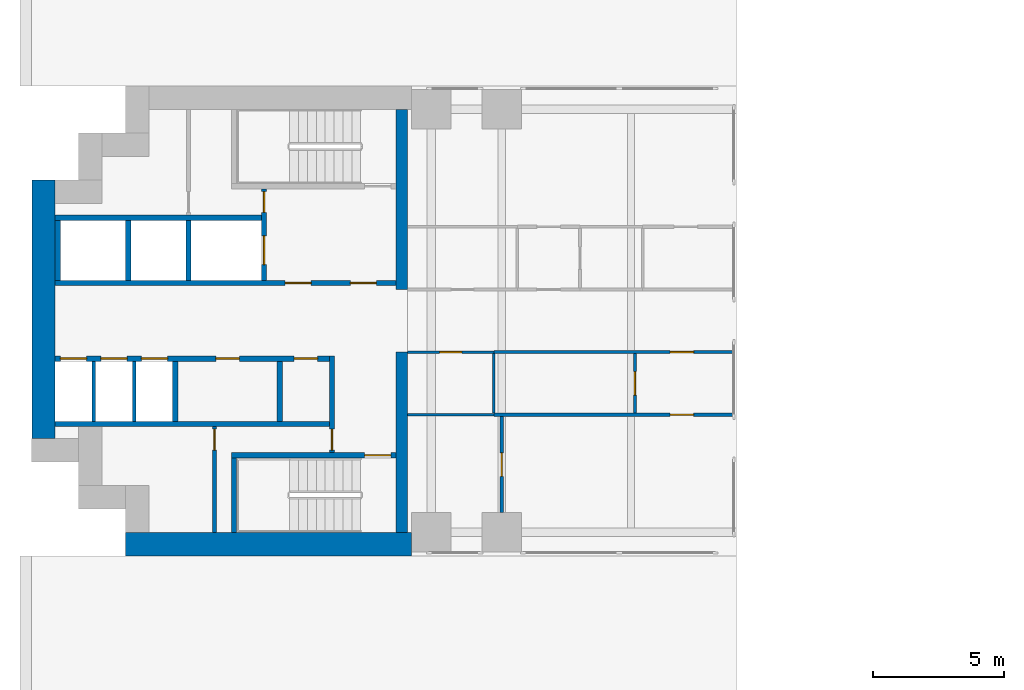
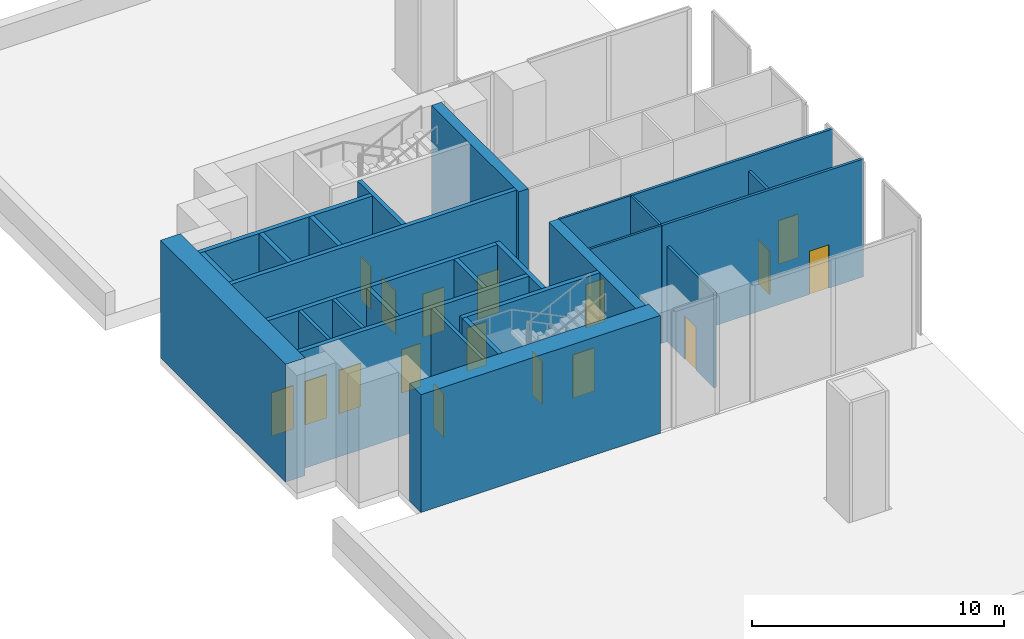
# One storey, part 6 of 13: 27 walls, 17 doors, 17 openings.
"""IFC4 building model written with IfcOpenShell, lengths in metres."""

from ifc_helpers import new_model, si_unit, direction, frame, frame_2d, origin, place, context, subcontext, project, spatial, rectangle, extrude, material, layer, layer_set, type_object, element, fill, save


model = new_model("IFC4")

# Units and contexts
model_context = context("Model", 3, precision=1e-05, world=origin(), true_north=direction((0.0, 1.0)))
body_context = subcontext(model_context, "Body", "Model", "MODEL_VIEW")
ifc_project = project(units=[si_unit("LENGTHUNIT", "METRE"), si_unit("AREAUNIT", "SQUARE_METRE"), si_unit("VOLUMEUNIT", "CUBIC_METRE"), si_unit("PLANEANGLEUNIT", "RADIAN"), si_unit("MASSUNIT", "GRAM", prefix="KILO")], contexts=[model_context])

# Site, building, storey
site_placement = place(None, origin())
site = spatial("IfcSite", under=ifc_project, at=site_placement, CompositionType="ELEMENT")
building_placement = place(site_placement, origin())
building = spatial("IfcBuilding", under=site, at=building_placement, Name="Perihelion Cross Residences", CompositionType="ELEMENT")
storey_placement = place(building_placement, frame((0.0, 0.0, 15.0)))
storey = spatial("IfcBuildingStorey", under=building, at=storey_placement, Name="L01", CompositionType="ELEMENT", Elevation=15.0)

# Walls
ifc_material_1 = material(Name="Concrete C60/75", Category="concrete")
ifc_layer_1 = layer(ifc_material_1, 0.449951171875)
ifc_layer_set_1 = layer_set([ifc_layer_1], Name="Core wall, inner 450")
wall_type_1 = type_object("IfcWallType", Name="Core wall, inner 450", PredefinedType="SHEAR", material=ifc_layer_set_1)
for number, where, z_axis, x_axis, name in (
    (1, (-21.824951171875, -8.10009765625, 0.0), (0.0, 0.0, 1.0), (0.0, 1.0, 0.0), "West core core wall, inner"),
    (2, (-21.824951171875, 1.199951171875, 0.0), (0.0, 0.0, 1.0), (0.0, 1.0, 0.0), "West core core wall, inner"),
):
    element("IfcWall", number, at=place(storey_placement, frame(where, z_axis=z_axis, x_axis=x_axis)), inside=storey, type_object=wall_type_1, Name=name, PredefinedType="SHEAR", context=body_context, shape_type="SweptSolid", body=[
        extrude(rectangle(XDim=6.900146484375, YDim=0.449951171875, at=frame_2d((3.4501953125, 0.0))), origin(), (0.0, 0.0, 1.0), 5.699951171875),
    ])
ifc_material_2 = material(Name="Concrete C60/75", Category="concrete")
ifc_layer_2 = layer(ifc_material_2, 0.89990234375)
ifc_layer_set_2 = layer_set([ifc_layer_2], Name="Core wall, outer 900")
wall_type_2 = type_object("IfcWallType", Name="Core wall, outer 900", PredefinedType="SHEAR", material=ifc_layer_set_2)
wall_1_placement = place(storey_placement, frame((-32.39990234375, -8.550048828125, 0.0), z_axis=(0.0, 0.0, 1.0), x_axis=(1.0, 0.0, 0.0)))
element("IfcWall", 3, at=wall_1_placement, inside=storey, type_object=wall_type_2, Name="West core core wall, outer", PredefinedType="SHEAR", context=body_context, shape_type="SweptSolid", body=[
    extrude(rectangle(XDim=10.949951171875, YDim=0.89990234375, at=frame_2d((5.47509765625, 0.0))), origin(), (0.0, 0.0, 1.0), 5.699951171875),
])
wall_2_placement = place(storey_placement, frame((-35.550048828125, -4.5, 0.0), z_axis=(0.0, 0.0, 1.0), x_axis=(0.0, 1.0, 0.0)))
element("IfcWall", 4, at=wall_2_placement, inside=storey, type_object=wall_type_2, Name="West core core wall, outer", PredefinedType="SHEAR", context=body_context, shape_type="SweptSolid", body=[
    extrude(rectangle(XDim=9.89990234375, YDim=0.89990234375, at=frame_2d((4.949951171875, 0.0))), origin(), (0.0, 0.0, 1.0), 5.699951171875),
])

# Wall, opening, door
ifc_material_3 = material(Name="Concrete C50/60", Category="concrete")
ifc_layer_3 = layer(ifc_material_3, 0.199951171875)
ifc_layer_set_3 = layer_set([ifc_layer_3], Name="Lobby wall 200")
wall_type_3 = type_object("IfcWallType", Name="Lobby wall 200", PredefinedType="SOLIDWALL", material=ifc_layer_set_3)
wall_3_placement = place(storey_placement, frame((-24.5, -5.050048828125, 0.0), z_axis=(0.0, 0.0, 1.0), x_axis=(0.0, 1.0, 0.0)))
wall_3 = element("IfcWall", 5, at=wall_3_placement, inside=storey, type_object=wall_type_3, Name="West core lobby wall", PredefinedType="SOLIDWALL", context=body_context, shape_type="SweptSolid", body=[
    extrude(rectangle(XDim=3.699951171875, YDim=0.199951171875, at=frame_2d((1.85009765625, 0.0))), origin(), (0.0, 0.0, 1.0), 5.699951171875),
])
opening_1_placement = place(wall_3_placement, frame((0.10009765625, 0.0, 0.0)))
opening_1 = element("IfcOpeningElement", 6, at=opening_1_placement, cuts=wall_3, Name="Opening L01.C22", PredefinedType="OPENING", context=body_context, shape_type="SweptSolid", body=[
    extrude(rectangle(XDim=0.800048828125, YDim=2.10009765625, at=frame_2d((0.39990234375, 1.050048828125))), frame((0.0, 0.10986328125, 0.0), z_axis=(0.0, -1.0, 0.0), x_axis=(1.0, 0.0, 0.0)), (0.0, 0.0, 1.0), 0.219970703125),
])
ifc_material_4 = material(Name="Steel, powder coated", Category="steel")
door_type_1 = type_object("IfcDoorType", Name="Riser door 800", OperationType="SINGLE_SWING_LEFT", PredefinedType="DOOR", material=ifc_material_4)
door_1_placement = place(opening_1_placement, origin())
door_1 = element("IfcDoor", 7, at=door_1_placement, inside=storey, type_object=door_type_1, Name="West core riser door", OperationType="SINGLE_SWING_LEFT", OverallHeight=2.10009765625, OverallWidth=0.800048828125, PredefinedType="DOOR", context=body_context, shape_type="SweptSolid", body=[
    extrude(rectangle(XDim=0.800048828125, YDim=2.10009765625, at=frame_2d((0.39990234375, 1.050048828125))), frame((0.0, 0.02490234375, 0.0), z_axis=(0.0, -1.0, 0.0), x_axis=(1.0, 0.0, 0.0)), (0.0, 0.0, 1.0), 0.050048828125),
])
fill(opening_1, door_1)

ifc_material_5 = material(Name="Plasterboard partition")
ifc_layer_4 = layer(ifc_material_5, 0.1201171875)
ifc_layer_set_4 = layer_set([ifc_layer_4], Name="Partition wall 120")
wall_type_4 = type_object("IfcWallType", Name="Partition wall 120", PredefinedType="PARTITIONING", material=ifc_layer_set_4)
wall_4_placement = place(storey_placement, frame((-9.080078125, -1.199951171875, 0.0), z_axis=(0.0, 0.0, 1.0), x_axis=(-1.0, 0.0, 0.0)))
wall_4 = element("IfcWall", 8, at=wall_4_placement, inside=storey, type_object=wall_type_4, Name="Partition L01 W009", PredefinedType="PARTITIONING", context=body_context, shape_type="SweptSolid", body=[
    extrude(rectangle(XDim=9.219970703125, YDim=0.1201171875, at=frame_2d((4.60986328125, 0.0))), origin(), (0.0, 0.0, 1.0), 5.699951171875),
])
opening_2_placement = place(wall_4_placement, frame((1.570068359375, 0.0, 0.0)))
opening_2 = element("IfcOpeningElement", 9, at=opening_2_placement, cuts=wall_4, Name="Opening L01.A12", PredefinedType="OPENING", context=body_context, shape_type="SweptSolid", body=[
    extrude(rectangle(XDim=0.89990234375, YDim=2.10009765625, at=frame_2d((0.449951171875, 1.050048828125))), frame((0.0, 0.070068359375, 0.0), z_axis=(0.0, -1.0, 0.0), x_axis=(1.0, 0.0, 0.0)), (0.0, 0.0, 1.0), 0.14013671875),
])
ifc_material_6 = material(Name="Timber door leaf", Category="wood")
door_type_2 = type_object("IfcDoorType", Name="Interior room door 900 x 2100", OperationType="SINGLE_SWING_LEFT", PredefinedType="DOOR", material=ifc_material_6)
door_2_placement = place(opening_2_placement, origin())
door_2 = element("IfcDoor", 10, at=door_2_placement, inside=storey, type_object=door_type_2, Name="Door L01.A12", OperationType="SINGLE_SWING_RIGHT", OverallHeight=2.10009765625, OverallWidth=0.89990234375, PredefinedType="DOOR", context=body_context, shape_type="SweptSolid", body=[
    extrude(rectangle(XDim=0.89990234375, YDim=2.10009765625, at=frame_2d((0.449951171875, 1.050048828125))), frame((0.0, 0.02490234375, 0.0), z_axis=(0.0, -1.0, 0.0), x_axis=(1.0, 0.0, 0.0)), (0.0, 0.0, 1.0), 0.050048828125),
])
fill(opening_2, door_2)

wall_5_placement = place(storey_placement, frame((-18.0, -7.35009765625, 0.0), z_axis=(0.0, 0.0, 1.0), x_axis=(0.0, 1.0, 0.0)))
wall_5 = element("IfcWall", 11, at=wall_5_placement, inside=storey, type_object=wall_type_4, Name="Partition L01 W027", PredefinedType="PARTITIONING", context=body_context, shape_type="SweptSolid", body=[
    extrude(rectangle(XDim=3.690185546875, YDim=0.1201171875, at=frame_2d((1.84521484375, 0.0))), origin(), (0.0, 0.0, 1.0), 4.610107421875),
])
opening_3_placement = place(wall_5_placement, frame((1.39501953125, 0.0, 0.0)))
opening_3 = element("IfcOpeningElement", 12, at=opening_3_placement, cuts=wall_5, Name="Opening L01.A19", PredefinedType="OPENING", context=body_context, shape_type="SweptSolid", body=[
    extrude(rectangle(XDim=0.89990234375, YDim=2.10009765625, at=frame_2d((0.449951171875, 1.050048828125))), frame((0.0, 0.070068359375, 0.0), z_axis=(0.0, -1.0, 0.0), x_axis=(1.0, 0.0, 0.0)), (0.0, 0.0, 1.0), 0.14013671875),
])
door_3_placement = place(opening_3_placement, origin())
door_3 = element("IfcDoor", 13, at=door_3_placement, inside=storey, type_object=door_type_2, Name="Door L01.A19", OperationType="SINGLE_SWING_LEFT", OverallHeight=2.10009765625, OverallWidth=0.89990234375, PredefinedType="DOOR", context=body_context, shape_type="SweptSolid", body=[
    extrude(rectangle(XDim=0.89990234375, YDim=2.10009765625, at=frame_2d((0.449951171875, 1.050048828125))), frame((0.0, 0.02490234375, 0.0), z_axis=(0.0, -1.0, 0.0), x_axis=(1.0, 0.0, 0.0)), (0.0, 0.0, 1.0), 0.050048828125),
])
fill(opening_3, door_3)

wall_6_placement = place(storey_placement, frame((-18.300048828125, -3.60009765625, 0.0), z_axis=(0.0, 0.0, 1.0), x_axis=(1.0, 0.0, 0.0)))
wall_6 = element("IfcWall", 14, at=wall_6_placement, inside=storey, type_object=wall_type_4, Name="Partition L01 W028", PredefinedType="PARTITIONING", context=body_context, shape_type="SweptSolid", body=[
    extrude(rectangle(XDim=9.219970703125, YDim=0.1201171875, at=frame_2d((4.60986328125, 0.0))), origin(), (0.0, 0.0, 1.0), 5.699951171875),
])
opening_4_placement = place(wall_6_placement, frame((6.75, 0.0, 0.0)))
opening_4 = element("IfcOpeningElement", 15, at=opening_4_placement, cuts=wall_6, Name="Opening L01.A18", PredefinedType="OPENING", context=body_context, shape_type="SweptSolid", body=[
    extrude(rectangle(XDim=0.89990234375, YDim=2.10009765625, at=frame_2d((0.449951171875, 1.050048828125))), frame((0.0, 0.070068359375, 0.0), z_axis=(0.0, -1.0, 0.0), x_axis=(1.0, 0.0, 0.0)), (0.0, 0.0, 1.0), 0.14013671875),
])
door_4_placement = place(opening_4_placement, origin())
door_4 = element("IfcDoor", 16, at=door_4_placement, inside=storey, type_object=door_type_2, Name="Door L01.A18", OperationType="SINGLE_SWING_LEFT", OverallHeight=2.10009765625, OverallWidth=0.89990234375, PredefinedType="DOOR", context=body_context, shape_type="SweptSolid", body=[
    extrude(rectangle(XDim=0.89990234375, YDim=2.10009765625, at=frame_2d((0.449951171875, 1.050048828125))), frame((0.0, 0.02490234375, 0.0), z_axis=(0.0, -1.0, 0.0), x_axis=(1.0, 0.0, 0.0)), (0.0, 0.0, 1.0), 0.050048828125),
])
fill(opening_4, door_4)

wall_7_placement = place(storey_placement, frame((-12.89990234375, -3.5400390625, 0.0), z_axis=(0.0, 0.0, 1.0), x_axis=(0.0, 1.0, 0.0)))
wall_7 = element("IfcWall", 17, at=wall_7_placement, inside=storey, type_object=wall_type_4, Name="Partition L01 W030", PredefinedType="PARTITIONING", context=body_context, shape_type="SweptSolid", body=[
    extrude(rectangle(XDim=2.280029296875, YDim=0.1201171875, at=frame_2d((1.14013671875, 0.0))), origin(), (0.0, 0.0, 1.0), 5.007080078125),
])
opening_5_placement = place(wall_7_placement, frame((0.68994140625, 0.0, 0.0)))
opening_5 = element("IfcOpeningElement", 18, at=opening_5_placement, cuts=wall_7, Name="Opening L01.A16", PredefinedType="OPENING", context=body_context, shape_type="SweptSolid", body=[
    extrude(rectangle(XDim=0.89990234375, YDim=2.10009765625, at=frame_2d((0.449951171875, 1.050048828125))), frame((0.0, 0.070068359375, 0.0), z_axis=(0.0, -1.0, 0.0), x_axis=(1.0, 0.0, 0.0)), (0.0, 0.0, 1.0), 0.14013671875),
])
door_5_placement = place(opening_5_placement, origin())
door_5 = element("IfcDoor", 19, at=door_5_placement, inside=storey, type_object=door_type_2, Name="Door L01.A16", OperationType="SINGLE_SWING_RIGHT", OverallHeight=2.10009765625, OverallWidth=0.89990234375, PredefinedType="DOOR", context=body_context, shape_type="SweptSolid", body=[
    extrude(rectangle(XDim=0.89990234375, YDim=2.10009765625, at=frame_2d((0.449951171875, 1.050048828125))), frame((0.0, 0.02490234375, 0.0), z_axis=(0.0, -1.0, 0.0), x_axis=(1.0, 0.0, 0.0)), (0.0, 0.0, 1.0), 0.050048828125),
])
fill(opening_5, door_5)

ifc_material_7 = material(Name="Fire-rated board on steel stud", Category="steel")
ifc_layer_5 = layer(ifc_material_7, 0.14990234375)
ifc_layer_set_5 = layer_set([ifc_layer_5], Name="Riser wall 150")
wall_type_5 = type_object("IfcWallType", Name="Riser wall 150", PredefinedType="PARTITIONING", material=ifc_layer_set_5)
wall_8_placement = place(storey_placement, frame((-29.0, -8.10009765625, 0.0), z_axis=(0.0, 0.0, 1.0), x_axis=(0.0, 1.0, 0.0)))
wall_8 = element("IfcWall", 20, at=wall_8_placement, inside=storey, type_object=wall_type_5, Name="West core riser wall", PredefinedType="PARTITIONING", context=body_context, shape_type="SweptSolid", body=[
    extrude(rectangle(XDim=4.050048828125, YDim=0.14990234375, at=frame_2d((2.02490234375, 0.0))), origin(), (0.0, 0.0, 1.0), 5.699951171875),
])
opening_6_placement = place(wall_8_placement, frame((3.14990234375, 0.0, 0.0)))
opening_6 = element("IfcOpeningElement", 21, at=opening_6_placement, cuts=wall_8, Name="Opening L01.C27", PredefinedType="OPENING", context=body_context, shape_type="SweptSolid", body=[
    extrude(rectangle(XDim=0.800048828125, YDim=2.10009765625, at=frame_2d((0.39990234375, 1.050048828125))), frame((0.0, 0.0849609375, 0.0), z_axis=(0.0, -1.0, 0.0), x_axis=(1.0, 0.0, 0.0)), (0.0, 0.0, 1.0), 0.169921875),
])
door_6_placement = place(opening_6_placement, origin())
door_6 = element("IfcDoor", 22, at=door_6_placement, inside=storey, type_object=door_type_1, Name="West core riser door", OperationType="SINGLE_SWING_LEFT", OverallHeight=2.10009765625, OverallWidth=0.800048828125, PredefinedType="DOOR", context=body_context, shape_type="SweptSolid", body=[
    extrude(rectangle(XDim=0.800048828125, YDim=2.10009765625, at=frame_2d((0.39990234375, 1.050048828125))), frame((0.0, 0.02490234375, 0.0), z_axis=(0.0, -1.0, 0.0), x_axis=(1.0, 0.0, 0.0)), (0.0, 0.0, 1.0), 0.050048828125),
])
fill(opening_6, door_6)

# Walls
ifc_material_8 = material(Name="Fire-rated board on steel stud", Category="steel")
ifc_layer_6 = layer(ifc_material_8, 0.199951171875)
ifc_layer_set_6 = layer_set([ifc_layer_6], Name="Riser wall 200")
wall_type_6 = type_object("IfcWallType", Name="Riser wall 200", PredefinedType="PARTITIONING", material=ifc_layer_set_6)
wall_9_placement = place(storey_placement, frame((-26.5, -3.85009765625, 0.0), z_axis=(0.0, 0.0, 1.0), x_axis=(0.0, 1.0, 0.0)))
element("IfcWall", 23, at=wall_9_placement, inside=storey, type_object=wall_type_6, Name="West core riser wall", PredefinedType="PARTITIONING", context=body_context, shape_type="SweptSolid", body=[
    extrude(rectangle(XDim=2.300048828125, YDim=0.199951171875, at=frame_2d((1.14990234375, 0.0))), origin(), (0.0, 0.0, 1.0), 5.699951171875),
])
ifc_material_9 = material(Name="Concrete C50/60", Category="concrete")
ifc_layer_7 = layer(ifc_material_9, 0.14990234375)
ifc_layer_set_7 = layer_set([ifc_layer_7], Name="Shaft wall 150")
wall_type_7 = type_object("IfcWallType", Name="Shaft wall 150", PredefinedType="SOLIDWALL", material=ifc_layer_set_7)
for number, where, z_axis, x_axis, name in (
    (24, (-32.074951171875, -3.85009765625, 0.0), (0.0, 0.0, 1.0), (0.0, 1.0, 0.0), "West core shaft wall"),
    (25, (-33.625, -3.85009765625, 0.0), (0.0, 0.0, 1.0), (0.0, 1.0, 0.0), "West core shaft wall"),
):
    element("IfcWall", number, at=place(storey_placement, frame(where, z_axis=z_axis, x_axis=x_axis)), inside=storey, type_object=wall_type_7, Name=name, PredefinedType="SOLIDWALL", context=body_context, shape_type="SweptSolid", body=[
        extrude(rectangle(XDim=2.300048828125, YDim=0.14990234375, at=frame_2d((1.14990234375, 0.0))), origin(), (0.0, 0.0, 1.0), 5.699951171875),
    ])

# Wall, openings, doors
ifc_material_10 = material(Name="Concrete C50/60", Category="concrete")
ifc_layer_8 = layer(ifc_material_10, 0.199951171875)
ifc_layer_set_8 = layer_set([ifc_layer_8], Name="Shaft wall 200")
wall_type_8 = type_object("IfcWallType", Name="Shaft wall 200", PredefinedType="SOLIDWALL", material=ifc_layer_set_8)
wall_10_placement = place(storey_placement, frame((-35.10009765625, 1.449951171875, 0.0), z_axis=(0.0, 0.0, 1.0), x_axis=(1.0, 0.0, 0.0)))
wall_10 = element("IfcWall", 26, at=wall_10_placement, inside=storey, type_object=wall_type_8, Name="West core shaft wall", PredefinedType="SOLIDWALL", context=body_context, shape_type="SweptSolid", body=[
    extrude(rectangle(XDim=13.050048828125, YDim=0.199951171875, at=frame_2d((6.52490234375, 0.0))), origin(), (0.0, 0.0, 1.0), 5.699951171875),
])
opening_7_placement = place(wall_10_placement, frame((11.300048828125, 0.0, 0.0)))
opening_7 = element("IfcOpeningElement", 27, at=opening_7_placement, cuts=wall_10, Name="Opening L01.C21", PredefinedType="OPENING", context=body_context, shape_type="SweptSolid", body=[
    extrude(rectangle(XDim=1.0, YDim=2.10009765625, at=frame_2d((0.5, 1.050048828125))), frame((0.0, 0.10986328125, 0.0), z_axis=(0.0, -1.0, 0.0), x_axis=(1.0, 0.0, 0.0)), (0.0, 0.0, 1.0), 0.219970703125),
])
opening_8_placement = place(wall_10_placement, frame((8.800048828125, 0.0, 0.0)))
opening_8 = element("IfcOpeningElement", 28, at=opening_8_placement, cuts=wall_10, Name="Opening L01.C24", PredefinedType="OPENING", context=body_context, shape_type="SweptSolid", body=[
    extrude(rectangle(XDim=1.0, YDim=2.10009765625, at=frame_2d((0.5, 1.050048828125))), frame((0.0, 0.10986328125, 0.0), z_axis=(0.0, -1.0, 0.0), x_axis=(1.0, 0.0, 0.0)), (0.0, 0.0, 1.0), 0.219970703125),
])
ifc_material_11 = material(Name="Steel, powder coated", Category="steel")
door_type_3 = type_object("IfcDoorType", Name="Lobby door 1000", OperationType="SINGLE_SWING_LEFT", PredefinedType="DOOR", material=ifc_material_11)
door_7_placement = place(opening_7_placement, origin())
door_7 = element("IfcDoor", 29, at=door_7_placement, inside=storey, type_object=door_type_3, Name="West core firefighting lobby door", OperationType="SINGLE_SWING_LEFT", OverallHeight=2.10009765625, OverallWidth=1.0, PredefinedType="DOOR", context=body_context, shape_type="SweptSolid", body=[
    extrude(rectangle(XDim=1.0, YDim=2.10009765625, at=frame_2d((0.5, 1.050048828125))), frame((0.0, 0.02490234375, 0.0), z_axis=(0.0, -1.0, 0.0), x_axis=(1.0, 0.0, 0.0)), (0.0, 0.0, 1.0), 0.050048828125),
])
fill(opening_7, door_7)
door_8_placement = place(opening_8_placement, origin())
door_8 = element("IfcDoor", 30, at=door_8_placement, inside=storey, type_object=door_type_3, Name="West core firefighting lobby door", OperationType="SINGLE_SWING_LEFT", OverallHeight=2.10009765625, OverallWidth=1.0, PredefinedType="DOOR", context=body_context, shape_type="SweptSolid", body=[
    extrude(rectangle(XDim=1.0, YDim=2.10009765625, at=frame_2d((0.5, 1.050048828125))), frame((0.0, 0.02490234375, 0.0), z_axis=(0.0, -1.0, 0.0), x_axis=(1.0, 0.0, 0.0)), (0.0, 0.0, 1.0), 0.050048828125),
])
fill(opening_8, door_8)

wall_11_placement = place(storey_placement, frame((-35.10009765625, -1.449951171875, 0.0), z_axis=(0.0, 0.0, 1.0), x_axis=(1.0, 0.0, 0.0)))
wall_11 = element("IfcWall", 31, at=wall_11_placement, inside=storey, type_object=wall_type_8, Name="West core shaft wall", PredefinedType="SOLIDWALL", context=body_context, shape_type="SweptSolid", body=[
    extrude(rectangle(XDim=10.5, YDim=0.199951171875, at=frame_2d((5.25, 0.0))), origin(), (0.0, 0.0, 1.0), 5.699951171875),
])
opening_9_placement = place(wall_11_placement, frame((3.300048828125, 0.0, 0.0)))
opening_9 = element("IfcOpeningElement", 32, at=opening_9_placement, cuts=wall_11, Name="Opening L01.C16", PredefinedType="OPENING", context=body_context, shape_type="SweptSolid", body=[
    extrude(rectangle(XDim=1.0, YDim=2.10009765625, at=frame_2d((0.5, 1.050048828125))), frame((0.0, 0.10986328125, 0.0), z_axis=(0.0, -1.0, 0.0), x_axis=(1.0, 0.0, 0.0)), (0.0, 0.0, 1.0), 0.219970703125),
])
opening_10_placement = place(wall_11_placement, frame((1.75, 0.0, 0.0)))
opening_10 = element("IfcOpeningElement", 33, at=opening_10_placement, cuts=wall_11, Name="Opening L01.C17", PredefinedType="OPENING", context=body_context, shape_type="SweptSolid", body=[
    extrude(rectangle(XDim=1.0, YDim=2.10009765625, at=frame_2d((0.5, 1.050048828125))), frame((0.0, 0.10986328125, 0.0), z_axis=(0.0, -1.0, 0.0), x_axis=(1.0, 0.0, 0.0)), (0.0, 0.0, 1.0), 0.219970703125),
])
opening_11_placement = place(wall_11_placement, frame((0.199951171875, 0.0, 0.0)))
opening_11 = element("IfcOpeningElement", 34, at=opening_11_placement, cuts=wall_11, Name="Opening L01.C18", PredefinedType="OPENING", context=body_context, shape_type="SweptSolid", body=[
    extrude(rectangle(XDim=1.0, YDim=2.10009765625, at=frame_2d((0.5, 1.050048828125))), frame((0.0, 0.10986328125, 0.0), z_axis=(0.0, -1.0, 0.0), x_axis=(1.0, 0.0, 0.0)), (0.0, 0.0, 1.0), 0.219970703125),
])
opening_12_placement = place(wall_11_placement, frame((9.14990234375, 0.0, 0.0)))
opening_12 = element("IfcOpeningElement", 35, at=opening_12_placement, cuts=wall_11, Name="Opening L01.C23", PredefinedType="OPENING", context=body_context, shape_type="SweptSolid", body=[
    extrude(rectangle(XDim=0.89990234375, YDim=2.10009765625, at=frame_2d((0.449951171875, 1.050048828125))), frame((0.0, 0.10986328125, 0.0), z_axis=(0.0, -1.0, 0.0), x_axis=(1.0, 0.0, 0.0)), (0.0, 0.0, 1.0), 0.219970703125),
])
opening_13_placement = place(wall_11_placement, frame((6.14990234375, 0.0, 0.0)))
opening_13 = element("IfcOpeningElement", 36, at=opening_13_placement, cuts=wall_11, Name="Opening L01.C26", PredefinedType="OPENING", context=body_context, shape_type="SweptSolid", body=[
    extrude(rectangle(XDim=0.89990234375, YDim=2.10009765625, at=frame_2d((0.449951171875, 1.050048828125))), frame((0.0, 0.10986328125, 0.0), z_axis=(0.0, -1.0, 0.0), x_axis=(1.0, 0.0, 0.0)), (0.0, 0.0, 1.0), 0.219970703125),
])
ifc_material_12 = material(Name="Stainless steel", Category="steel")
door_type_4 = type_object("IfcDoorType", Name="Landing door 1000", OperationType="DOUBLE_DOOR_SLIDING", PredefinedType="DOOR", material=ifc_material_12)
door_9_placement = place(opening_9_placement, origin())
door_9 = element("IfcDoor", 37, at=door_9_placement, inside=storey, type_object=door_type_4, Name="Landing door, West core low-rise lift 1", OperationType="DOUBLE_DOOR_SLIDING", OverallHeight=2.10009765625, OverallWidth=1.0, PredefinedType="DOOR", context=body_context, shape_type="SweptSolid", body=[
    extrude(rectangle(XDim=1.0, YDim=2.10009765625, at=frame_2d((0.5, 1.050048828125))), frame((0.0, 0.02490234375, 0.0), z_axis=(0.0, -1.0, 0.0), x_axis=(1.0, 0.0, 0.0)), (0.0, 0.0, 1.0), 0.050048828125),
])
fill(opening_9, door_9)
door_10_placement = place(opening_10_placement, origin())
door_10 = element("IfcDoor", 38, at=door_10_placement, inside=storey, type_object=door_type_4, Name="Landing door, West core low-rise lift 2", OperationType="DOUBLE_DOOR_SLIDING", OverallHeight=2.10009765625, OverallWidth=1.0, PredefinedType="DOOR", context=body_context, shape_type="SweptSolid", body=[
    extrude(rectangle(XDim=1.0, YDim=2.10009765625, at=frame_2d((0.5, 1.050048828125))), frame((0.0, 0.02490234375, 0.0), z_axis=(0.0, -1.0, 0.0), x_axis=(1.0, 0.0, 0.0)), (0.0, 0.0, 1.0), 0.050048828125),
])
fill(opening_10, door_10)
door_11_placement = place(opening_11_placement, origin())
door_11 = element("IfcDoor", 39, at=door_11_placement, inside=storey, type_object=door_type_4, Name="Landing door, West core low-rise lift 3", OperationType="DOUBLE_DOOR_SLIDING", OverallHeight=2.10009765625, OverallWidth=1.0, PredefinedType="DOOR", context=body_context, shape_type="SweptSolid", body=[
    extrude(rectangle(XDim=1.0, YDim=2.10009765625, at=frame_2d((0.5, 1.050048828125))), frame((0.0, 0.02490234375, 0.0), z_axis=(0.0, -1.0, 0.0), x_axis=(1.0, 0.0, 0.0)), (0.0, 0.0, 1.0), 0.050048828125),
])
fill(opening_11, door_11)
ifc_material_13 = material(Name="Steel, powder coated", Category="steel")
door_type_5 = type_object("IfcDoorType", Name="Service room door 900", OperationType="SINGLE_SWING_LEFT", PredefinedType="DOOR", material=ifc_material_13)
door_12_placement = place(opening_12_placement, origin())
door_12 = element("IfcDoor", 40, at=door_12_placement, inside=storey, type_object=door_type_5, Name="West core service room door", OperationType="SINGLE_SWING_LEFT", OverallHeight=2.10009765625, OverallWidth=0.89990234375, PredefinedType="DOOR", context=body_context, shape_type="SweptSolid", body=[
    extrude(rectangle(XDim=0.89990234375, YDim=2.10009765625, at=frame_2d((0.449951171875, 1.050048828125))), frame((0.0, 0.02490234375, 0.0), z_axis=(0.0, -1.0, 0.0), x_axis=(1.0, 0.0, 0.0)), (0.0, 0.0, 1.0), 0.050048828125),
])
fill(opening_12, door_12)
door_13_placement = place(opening_13_placement, origin())
door_13 = element("IfcDoor", 41, at=door_13_placement, inside=storey, type_object=door_type_5, Name="West core service room door", OperationType="SINGLE_SWING_LEFT", OverallHeight=2.10009765625, OverallWidth=0.89990234375, PredefinedType="DOOR", context=body_context, shape_type="SweptSolid", body=[
    extrude(rectangle(XDim=0.89990234375, YDim=2.10009765625, at=frame_2d((0.449951171875, 1.050048828125))), frame((0.0, 0.02490234375, 0.0), z_axis=(0.0, -1.0, 0.0), x_axis=(1.0, 0.0, 0.0)), (0.0, 0.0, 1.0), 0.050048828125),
])
fill(opening_13, door_13)

# Walls
wall_12_placement = place(storey_placement, frame((-35.10009765625, 3.949951171875, 0.0), z_axis=(0.0, 0.0, 1.0), x_axis=(1.0, 0.0, 0.0)))
element("IfcWall", 42, at=wall_12_placement, inside=storey, type_object=wall_type_8, Name="West core shaft wall", PredefinedType="SOLIDWALL", context=body_context, shape_type="SweptSolid", body=[
    extrude(rectangle(XDim=7.900146484375, YDim=0.199951171875, at=frame_2d((3.9501953125, 0.0))), origin(), (0.0, 0.0, 1.0), 5.699951171875),
])
wall_13_placement = place(storey_placement, frame((-35.10009765625, -3.949951171875, 0.0), z_axis=(0.0, 0.0, 1.0), x_axis=(1.0, 0.0, 0.0)))
element("IfcWall", 43, at=wall_13_placement, inside=storey, type_object=wall_type_8, Name="West core shaft wall", PredefinedType="SOLIDWALL", context=body_context, shape_type="SweptSolid", body=[
    extrude(rectangle(XDim=10.5, YDim=0.199951171875, at=frame_2d((5.25, 0.0))), origin(), (0.0, 0.0, 1.0), 5.699951171875),
])

# Wall, openings, doors
wall_14_placement = place(storey_placement, frame((-27.10009765625, 1.550048828125, 0.0), z_axis=(0.0, 0.0, 1.0), x_axis=(0.0, 1.0, 0.0)))
wall_14 = element("IfcWall", 44, at=wall_14_placement, inside=storey, type_object=wall_type_8, Name="West core shaft wall", PredefinedType="SOLIDWALL", context=body_context, shape_type="SweptSolid", body=[
    extrude(rectangle(XDim=3.5, YDim=0.199951171875, at=frame_2d((1.75, 0.0))), origin(), (0.0, 0.0, 1.0), 5.699951171875),
])
opening_14_placement = place(wall_14_placement, frame((0.60009765625, 0.0, 0.0)))
opening_14 = element("IfcOpeningElement", 45, at=opening_14_placement, cuts=wall_14, Name="Opening L01.C15", PredefinedType="OPENING", context=body_context, shape_type="SweptSolid", body=[
    extrude(rectangle(XDim=1.10009765625, YDim=2.10009765625, at=frame_2d((0.550048828125, 1.050048828125))), frame((0.0, 0.10986328125, 0.0), z_axis=(0.0, -1.0, 0.0), x_axis=(1.0, 0.0, 0.0)), (0.0, 0.0, 1.0), 0.219970703125),
])
opening_15_placement = place(wall_14_placement, frame((2.60009765625, 0.0, 0.0)))
opening_15 = element("IfcOpeningElement", 46, at=opening_15_placement, cuts=wall_14, Name="Opening L01.C25", PredefinedType="OPENING", context=body_context, shape_type="SweptSolid", body=[
    extrude(rectangle(XDim=0.800048828125, YDim=2.10009765625, at=frame_2d((0.39990234375, 1.050048828125))), frame((0.0, 0.10986328125, 0.0), z_axis=(0.0, -1.0, 0.0), x_axis=(1.0, 0.0, 0.0)), (0.0, 0.0, 1.0), 0.219970703125),
])
ifc_material_14 = material(Name="Stainless steel", Category="steel")
door_type_6 = type_object("IfcDoorType", Name="Landing door, firefighting lift 1100", OperationType="DOUBLE_DOOR_SLIDING", PredefinedType="DOOR", material=ifc_material_14)
door_14_placement = place(opening_14_placement, origin())
door_14 = element("IfcDoor", 47, at=door_14_placement, inside=storey, type_object=door_type_6, Name="Landing door, West core firefighting and service lift", OperationType="DOUBLE_DOOR_SLIDING", OverallHeight=2.10009765625, OverallWidth=1.10009765625, PredefinedType="DOOR", context=body_context, shape_type="SweptSolid", body=[
    extrude(rectangle(XDim=1.10009765625, YDim=2.10009765625, at=frame_2d((0.550048828125, 1.050048828125))), frame((0.0, 0.02490234375, 0.0), z_axis=(0.0, -1.0, 0.0), x_axis=(1.0, 0.0, 0.0)), (0.0, 0.0, 1.0), 0.050048828125),
])
fill(opening_14, door_14)
door_15_placement = place(opening_15_placement, origin())
door_15 = element("IfcDoor", 48, at=door_15_placement, inside=storey, type_object=door_type_1, Name="West core riser door", OperationType="SINGLE_SWING_LEFT", OverallHeight=2.10009765625, OverallWidth=0.800048828125, PredefinedType="DOOR", context=body_context, shape_type="SweptSolid", body=[
    extrude(rectangle(XDim=0.800048828125, YDim=2.10009765625, at=frame_2d((0.39990234375, 1.050048828125))), frame((0.0, 0.02490234375, 0.0), z_axis=(0.0, -1.0, 0.0), x_axis=(1.0, 0.0, 0.0)), (0.0, 0.0, 1.0), 0.050048828125),
])
fill(opening_15, door_15)

# Walls
for number, where, z_axis, x_axis, name in (
    (49, (-30.0, 1.550048828125, 0.0), (0.0, 0.0, 1.0), (0.0, 1.0, 0.0), "West core shaft wall"),
    (50, (-32.300048828125, 1.550048828125, 0.0), (0.0, 0.0, 1.0), (0.0, 1.0, 0.0), "West core shaft wall"),
    (51, (-35.0, 1.550048828125, 0.0), (0.0, 0.0, 1.0), (0.0, 1.0, 0.0), "West core shaft wall"),
    (52, (-30.5, -3.85009765625, 0.0), (0.0, 0.0, 1.0), (0.0, 1.0, 0.0), "West core shaft wall"),
):
    element("IfcWall", number, at=place(storey_placement, frame(where, z_axis=z_axis, x_axis=x_axis)), inside=storey, type_object=wall_type_8, Name=name, PredefinedType="SOLIDWALL", context=body_context, shape_type="SweptSolid", body=[
        extrude(rectangle(XDim=2.300048828125, YDim=0.199951171875, at=frame_2d((1.14990234375, 0.0))), origin(), (0.0, 0.0, 1.0), 5.699951171875),
    ])

# Wall, opening, door
ifc_material_15 = material(Name="Concrete C50/60", Category="concrete")
ifc_layer_9 = layer(ifc_material_15, 0.199951171875)
ifc_layer_set_9 = layer_set([ifc_layer_9], Name="Stair wall 200")
wall_type_9 = type_object("IfcWallType", Name="Stair wall 200", PredefinedType="SOLIDWALL", material=ifc_layer_set_9)
wall_15_placement = place(storey_placement, frame((-28.35009765625, -5.14990234375, 0.0), z_axis=(0.0, 0.0, 1.0), x_axis=(1.0, 0.0, 0.0)))
wall_15 = element("IfcWall", 53, at=wall_15_placement, inside=storey, type_object=wall_type_9, Name="West core stair wall", PredefinedType="SOLIDWALL", context=body_context, shape_type="SweptSolid", body=[
    extrude(rectangle(XDim=6.300048828125, YDim=0.199951171875, at=frame_2d((3.14990234375, 0.0))), origin(), (0.0, 0.0, 1.0), 5.699951171875),
])
opening_16_placement = place(wall_15_placement, frame((5.10009765625, 0.0, 0.0)))
opening_16 = element("IfcOpeningElement", 54, at=opening_16_placement, cuts=wall_15, Name="Opening L01.C19", PredefinedType="OPENING", context=body_context, shape_type="SweptSolid", body=[
    extrude(rectangle(XDim=1.0, YDim=2.10009765625, at=frame_2d((0.5, 1.050048828125))), frame((0.0, 0.10986328125, 0.0), z_axis=(0.0, -1.0, 0.0), x_axis=(1.0, 0.0, 0.0)), (0.0, 0.0, 1.0), 0.219970703125),
])
ifc_material_16 = material(Name="Steel, powder coated", Category="steel")
door_type_7 = type_object("IfcDoorType", Name="Stair door 1000", OperationType="SINGLE_SWING_LEFT", PredefinedType="DOOR", material=ifc_material_16)
door_16_placement = place(opening_16_placement, origin())
door_16 = element("IfcDoor", 55, at=door_16_placement, inside=storey, type_object=door_type_7, Name="West core stair door", OperationType="SINGLE_SWING_LEFT", OverallHeight=2.10009765625, OverallWidth=1.0, PredefinedType="DOOR", context=body_context, shape_type="SweptSolid", body=[
    extrude(rectangle(XDim=1.0, YDim=2.10009765625, at=frame_2d((0.5, 1.050048828125))), frame((0.0, 0.02490234375, 0.0), z_axis=(0.0, -1.0, 0.0), x_axis=(1.0, 0.0, 0.0)), (0.0, 0.0, 1.0), 0.050048828125),
])
fill(opening_16, door_16)

# Wall
wall_16_placement = place(storey_placement, frame((-28.25, -8.10009765625, 0.0), z_axis=(0.0, 0.0, 1.0), x_axis=(0.0, 1.0, 0.0)))
element("IfcWall", 56, at=wall_16_placement, inside=storey, type_object=wall_type_9, Name="West core stair wall", PredefinedType="SOLIDWALL", context=body_context, shape_type="SweptSolid", body=[
    extrude(rectangle(XDim=2.85009765625, YDim=0.199951171875, at=frame_2d((1.425048828125, 0.0))), origin(), (0.0, 0.0, 1.0), 5.699951171875),
])

# Wall, opening, door
ifc_material_17 = material(Name="Plasterboard partition")
ifc_layer_10 = layer(ifc_material_17, 0.10009765625)
ifc_layer_set_10 = layer_set([ifc_layer_10], Name="Wet room wall 100")
wall_type_10 = type_object("IfcWallType", Name="Wet room wall 100", PredefinedType="PARTITIONING", material=ifc_layer_set_10)
wall_17_placement = place(storey_placement, frame((-18.300048828125, -1.199951171875, 0.0), z_axis=(0.0, 0.0, 1.0), x_axis=(-1.0, 0.0, 0.0)))
wall_17 = element("IfcWall", 57, at=wall_17_placement, inside=storey, type_object=wall_type_10, Name="Partition L01 W010", PredefinedType="PARTITIONING", context=body_context, shape_type="SweptSolid", body=[
    extrude(rectangle(XDim=3.300048828125, YDim=0.10009765625, at=frame_2d((1.64990234375, 0.0))), origin(), (0.0, 0.0, 1.0), 5.699951171875),
])
opening_17_placement = place(wall_17_placement, frame((1.22509765625, 0.0, 0.0)))
opening_17 = element("IfcOpeningElement", 58, at=opening_17_placement, cuts=wall_17, Name="Opening L01.A13", PredefinedType="OPENING", context=body_context, shape_type="SweptSolid", body=[
    extrude(rectangle(XDim=0.85009765625, YDim=2.10009765625, at=frame_2d((0.425048828125, 1.050048828125))), frame((0.0, 0.06005859375, 0.0), z_axis=(0.0, -1.0, 0.0), x_axis=(1.0, 0.0, 0.0)), (0.0, 0.0, 1.0), 0.1201171875),
])
ifc_material_18 = material(Name="Timber door leaf", Category="wood")
door_type_8 = type_object("IfcDoorType", Name="Interior bathroom door 850 x 2100", OperationType="SINGLE_SWING_LEFT", PredefinedType="DOOR", material=ifc_material_18)
door_17_placement = place(opening_17_placement, origin())
door_17 = element("IfcDoor", 59, at=door_17_placement, inside=storey, type_object=door_type_8, Name="Door L01.A13", OperationType="SINGLE_SWING_RIGHT", OverallHeight=2.10009765625, OverallWidth=0.85009765625, PredefinedType="DOOR", context=body_context, shape_type="SweptSolid", body=[
    extrude(rectangle(XDim=0.85009765625, YDim=2.10009765625, at=frame_2d((0.425048828125, 1.050048828125))), frame((0.0, 0.02490234375, 0.0), z_axis=(0.0, -1.0, 0.0), x_axis=(1.0, 0.0, 0.0)), (0.0, 0.0, 1.0), 0.050048828125),
])
fill(opening_17, door_17)

# Walls
wall_18_placement = place(storey_placement, frame((-21.60009765625, -3.60009765625, 0.0), z_axis=(0.0, 0.0, 1.0), x_axis=(1.0, 0.0, 0.0)))
element("IfcWall", 60, at=wall_18_placement, inside=storey, type_object=wall_type_10, Name="Partition L01 W029", PredefinedType="PARTITIONING", context=body_context, shape_type="SweptSolid", body=[
    extrude(rectangle(XDim=3.300048828125, YDim=0.10009765625, at=frame_2d((1.64990234375, 0.0))), origin(), (0.0, 0.0, 1.0), 5.699951171875),
])
wall_19_placement = place(storey_placement, frame((-18.300048828125, -3.5400390625, 0.0), z_axis=(0.0, 0.0, 1.0), x_axis=(0.0, 1.0, 0.0)))
element("IfcWall", 61, at=wall_19_placement, inside=storey, type_object=wall_type_10, Name="Partition L01 W031", PredefinedType="PARTITIONING", context=body_context, shape_type="SweptSolid", body=[
    extrude(rectangle(XDim=2.280029296875, YDim=0.10009765625, at=frame_2d((1.14013671875, 0.0))), origin(), (0.0, 0.0, 1.0), 5.699951171875),
])

save(model, "model.ifc")
